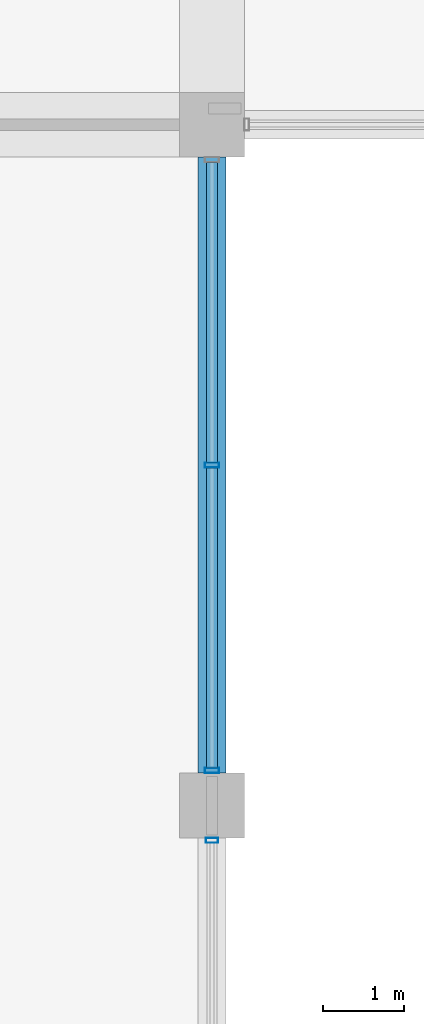
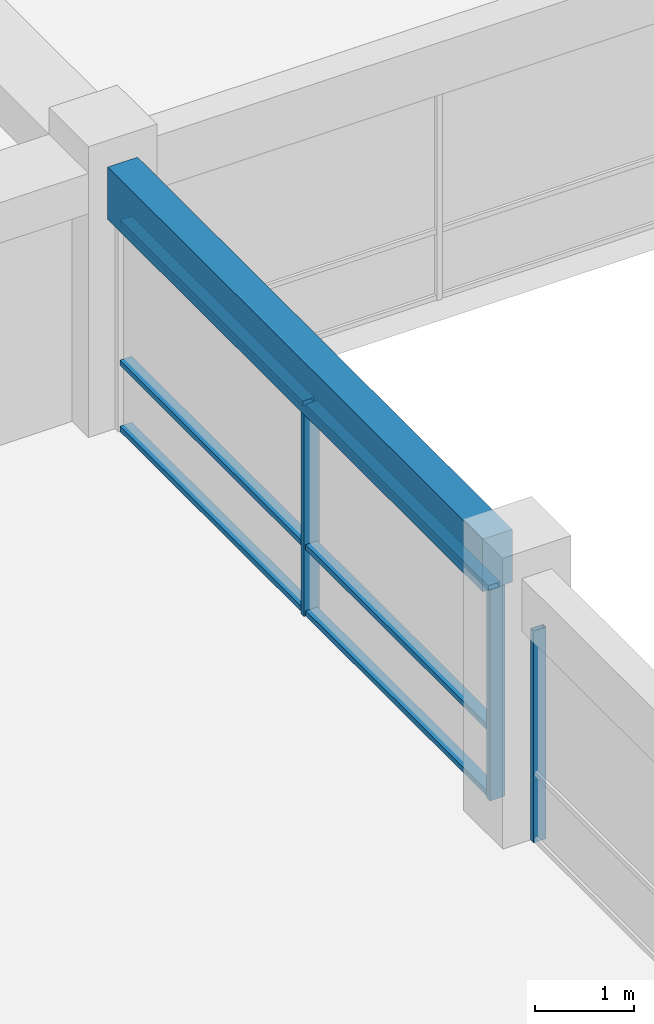
# One storey, part 9 of 50: 9 members, 1 beam, 2 elements without a shape of their own.
"""IFC4 building model written with IfcOpenShell, lengths in metres."""

from ifc_helpers import new_model, si_unit, direction, frame, origin, origin_2d, place, context, subcontext, project, spatial, rectangle, hollow_rectangle, extrude, material, material_profile, profile_set, type_object, element, aggregate, save


model = new_model("IFC4")

# Units and contexts
model_context = context("Model", 3, precision=1e-05, world=origin(), true_north=direction((0.0, 1.0)))
body_context = subcontext(model_context, "Body", "Model", "MODEL_VIEW")
ifc_project = project(units=[si_unit("LENGTHUNIT", "METRE"), si_unit("AREAUNIT", "SQUARE_METRE"), si_unit("VOLUMEUNIT", "CUBIC_METRE"), si_unit("PLANEANGLEUNIT", "RADIAN"), si_unit("MASSUNIT", "GRAM", prefix="KILO"), si_unit("THERMODYNAMICTEMPERATUREUNIT", "KELVIN"), si_unit("POWERUNIT", "WATT")], contexts=[model_context])

# Site, building, storey
site_placement = place(None, origin())
site = spatial("IfcSite", under=ifc_project, at=site_placement, CompositionType="ELEMENT")
building_placement = place(site_placement, origin())
building = spatial("IfcBuilding", under=site, at=building_placement, Name="Srebrne Nadtorze General Hospital", CompositionType="ELEMENT")
storey_placement = place(building_placement, frame((0.0, 0.0, 14.39990234375)))
storey = spatial("IfcBuildingStorey", under=building, at=storey_placement, Name="L03", CompositionType="ELEMENT", Elevation=14.39990234375)

# Curtain wall, member
ifc_material_1 = material(Name="Anodised Aluminium", Category="aluminium")
curtain_wall_type = type_object("IfcCurtainWallType", Name="Unitised curtain wall 7600x2620", PredefinedType="NOTDEFINED", material=ifc_material_1)
curtain_wall_1_placement = place(storey_placement, origin())
curtain_wall_1 = element("IfcCurtainWall", 1, at=curtain_wall_1_placement, inside=storey, type_object=curtain_wall_type, Name="Curtain wall CW-098", PredefinedType="NOTDEFINED")
ifc_material_2 = material(Name="Anodised Aluminium", Category="aluminium")
ifc_material_profile_1 = material_profile(ifc_material_2, hollow_rectangle(XDim=0.06005859375, YDim=0.14990234375, WallThickness=0.00390625, at=origin_2d()), Name="AL-MUL-60x150")
ifc_profile_set_1 = profile_set([ifc_material_profile_1], Name="Anodised Aluminium")
member_type_1 = type_object("IfcMemberType", Name="Curtain mullion 60x150", PredefinedType="MULLION", material=ifc_profile_set_1)
member_1_placement = place(storey_placement, frame((117.0, 16.3701171875, 0.0), z_axis=(0.0, 0.0, 1.0), x_axis=(0.0, 1.0, 0.0)))
member_1 = element("IfcMember", 2, at=member_1_placement, type_object=member_type_1, Name="CW-098 mullion 3", PredefinedType="MULLION", context=body_context, shape_type="SweptSolid", body=[
    extrude(hollow_rectangle(XDim=0.06005859375, YDim=0.14990234375, WallThickness=0.00390625, at=origin_2d()), origin(), (0.0, 0.0, 1.0), 2.6201171875),
])
aggregate(curtain_wall_1, [member_1])

# Curtain wall, members
curtain_wall_2_placement = place(storey_placement, origin())
curtain_wall_2 = element("IfcCurtainWall", 3, at=curtain_wall_2_placement, inside=storey, type_object=curtain_wall_type, Name="Curtain wall CW-099", PredefinedType="NOTDEFINED")
ifc_material_3 = material(Name="Anodised Aluminium", Category="aluminium")
ifc_material_profile_2 = material_profile(ifc_material_3, hollow_rectangle(XDim=0.06494140625, YDim=0.179931640625, WallThickness=0.00390625, at=origin_2d()), Name="AL-MUL-65x180")
ifc_profile_set_2 = profile_set([ifc_material_profile_2], Name="Anodised Aluminium")
member_type_2 = type_object("IfcMemberType", Name="Curtain mullion 65x180", PredefinedType="MULLION", material=ifc_profile_set_2)
member_2_placement = place(storey_placement, frame((117.0, 17.232421875, 0.0), z_axis=(0.0, 0.0, 1.0), x_axis=(0.0, 1.0, 0.0)))
member_2 = element("IfcMember", 4, at=member_2_placement, type_object=member_type_2, Name="CW-099 mullion 1", PredefinedType="MULLION", context=body_context, shape_type="SweptSolid", body=[
    extrude(hollow_rectangle(XDim=0.06494140625, YDim=0.179931640625, WallThickness=0.00390625, at=origin_2d()), origin(), (0.0, 0.0, 1.0), 2.6201171875),
])
member_3_placement = place(storey_placement, frame((117.0, 21.0, 0.0), z_axis=(0.0, 0.0, 1.0), x_axis=(0.0, 1.0, 0.0)))
member_3 = element("IfcMember", 5, at=member_3_placement, type_object=member_type_2, Name="CW-099 mullion 2", PredefinedType="MULLION", context=body_context, shape_type="SweptSolid", body=[
    extrude(hollow_rectangle(XDim=0.06494140625, YDim=0.179931640625, WallThickness=0.00390625, at=origin_2d()), origin(), (0.0, 0.0, 1.0), 2.6201171875),
])
ifc_material_4 = material(Name="Anodised Aluminium", Category="aluminium")
ifc_material_profile_3 = material_profile(ifc_material_4, hollow_rectangle(XDim=0.06494140625, YDim=0.139892578125, WallThickness=0.00390625, at=origin_2d()), Name="AL-TRN-65x140")
ifc_profile_set_3 = profile_set([ifc_material_profile_3], Name="Anodised Aluminium")
member_type_3 = type_object("IfcMemberType", Name="Curtain transom 65x140", PredefinedType="USERDEFINED", material=ifc_profile_set_3)
member_4_placement = place(storey_placement, frame((117.0, 17.264892578125, 0.03271484375), z_axis=(0.0, 1.0, 0.0), x_axis=(0.0, 0.0, 1.0)))
member_4 = element("IfcMember", 6, at=member_4_placement, type_object=member_type_3, Name="CW-099 transom 1.1", ObjectType="TRANSOM", PredefinedType="USERDEFINED", context=body_context, shape_type="SweptSolid", body=[
    extrude(hollow_rectangle(XDim=0.06494140625, YDim=0.139892578125, WallThickness=0.00390625, at=origin_2d()), origin(), (0.0, 0.0, 1.0), 3.70263671875),
])
member_5_placement = place(storey_placement, frame((117.0, 17.264892578125, 0.85009765625), z_axis=(0.0, 1.0, 0.0), x_axis=(0.0, 0.0, 1.0)))
member_5 = element("IfcMember", 7, at=member_5_placement, type_object=member_type_3, Name="CW-099 transom 1.2", ObjectType="TRANSOM", PredefinedType="USERDEFINED", context=body_context, shape_type="SweptSolid", body=[
    extrude(hollow_rectangle(XDim=0.06494140625, YDim=0.139892578125, WallThickness=0.00390625, at=origin_2d()), origin(), (0.0, 0.0, 1.0), 3.70263671875),
])
member_6_placement = place(storey_placement, frame((117.0, 17.264892578125, 2.587646484375), z_axis=(0.0, 1.0, 0.0), x_axis=(0.0, 0.0, 1.0)))
member_6 = element("IfcMember", 8, at=member_6_placement, type_object=member_type_3, Name="CW-099 transom 1.3", ObjectType="TRANSOM", PredefinedType="USERDEFINED", context=body_context, shape_type="SweptSolid", body=[
    extrude(hollow_rectangle(XDim=0.06494140625, YDim=0.139892578125, WallThickness=0.00390625, at=origin_2d()), origin(), (0.0, 0.0, 1.0), 3.70263671875),
])
member_7_placement = place(storey_placement, frame((117.0, 21.032470703125, 0.03271484375), z_axis=(0.0, 1.0, 0.0), x_axis=(0.0, 0.0, 1.0)))
member_7 = element("IfcMember", 9, at=member_7_placement, type_object=member_type_3, Name="CW-099 transom 2.1", ObjectType="TRANSOM", PredefinedType="USERDEFINED", context=body_context, shape_type="SweptSolid", body=[
    extrude(hollow_rectangle(XDim=0.06494140625, YDim=0.139892578125, WallThickness=0.00390625, at=origin_2d()), origin(), (0.0, 0.0, 1.0), 3.70263671875),
])
member_8_placement = place(storey_placement, frame((117.0, 21.032470703125, 0.85009765625), z_axis=(0.0, 1.0, 0.0), x_axis=(0.0, 0.0, 1.0)))
member_8 = element("IfcMember", 10, at=member_8_placement, type_object=member_type_3, Name="CW-099 transom 2.2", ObjectType="TRANSOM", PredefinedType="USERDEFINED", context=body_context, shape_type="SweptSolid", body=[
    extrude(hollow_rectangle(XDim=0.06494140625, YDim=0.139892578125, WallThickness=0.00390625, at=origin_2d()), origin(), (0.0, 0.0, 1.0), 3.70263671875),
])
member_9_placement = place(storey_placement, frame((117.0, 21.032470703125, 2.587646484375), z_axis=(0.0, 1.0, 0.0), x_axis=(0.0, 0.0, 1.0)))
member_9 = element("IfcMember", 11, at=member_9_placement, type_object=member_type_3, Name="CW-099 transom 2.3", ObjectType="TRANSOM", PredefinedType="USERDEFINED", context=body_context, shape_type="SweptSolid", body=[
    extrude(hollow_rectangle(XDim=0.06494140625, YDim=0.139892578125, WallThickness=0.00390625, at=origin_2d()), origin(), (0.0, 0.0, 1.0), 3.70263671875),
])
aggregate(curtain_wall_2, [member_2, member_3, member_4, member_5, member_6, member_7, member_8, member_9])

# Beam
ifc_material_5 = material(Name="Concrete C35/45", Category="concrete")
ifc_material_profile_4 = material_profile(ifc_material_5, rectangle(XDim=0.35009765625, YDim=0.64990234375, at=origin_2d()), Name="RC-BM-350x650")
ifc_profile_set_4 = profile_set([ifc_material_profile_4], Name="Concrete C35/45")
beam_type = type_object("IfcBeamType", Name="Edge beam RC 350x650", PredefinedType="BEAM", material=ifc_profile_set_4)
beam_placement = place(storey_placement, frame((117.0, 17.199951171875, 2.945068359375), z_axis=(0.0, 1.0, 0.0), x_axis=(-1.0, 0.0, 0.0)))
element("IfcBeam", 12, at=beam_placement, inside=storey, type_object=beam_type, Name="Beam BM-L03-Y-0828", PredefinedType="BEAM", context=body_context, shape_type="SweptSolid", body=[
    extrude(rectangle(XDim=0.35009765625, YDim=0.64990234375, at=origin_2d()), origin(), (0.0, 0.0, 1.0), 7.60009765625),
])

save(model, "model.ifc")
